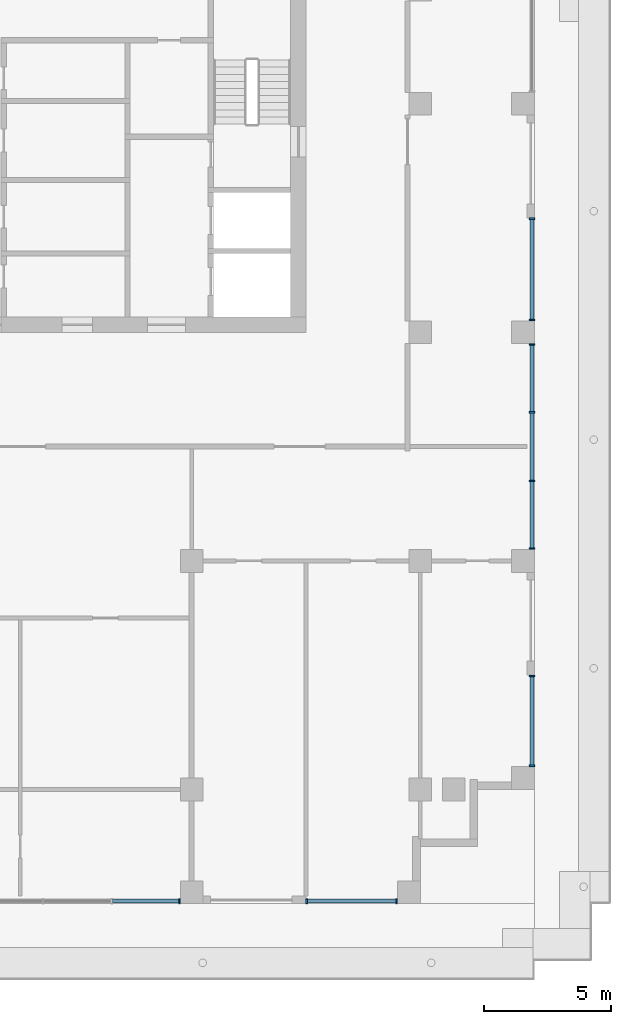
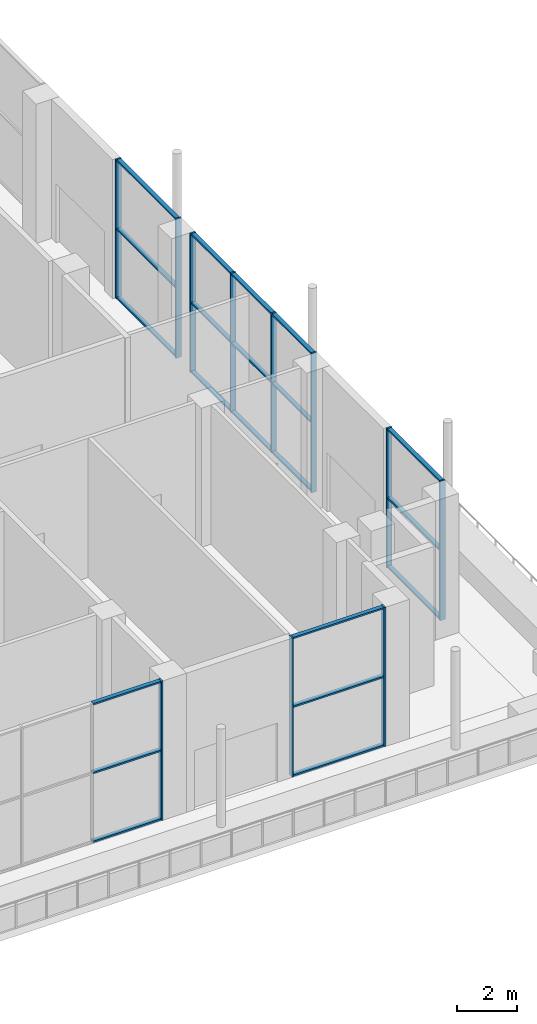
# One storey, part 3 of 13: 32 members, 5 elements without a shape of their own.
"""IFC4 building model written with IfcOpenShell, lengths in metres."""

from ifc_helpers import new_model, si_unit, direction, frame, origin, origin_2d, place, context, subcontext, project, spatial, rectangle, extrude, material, material_profile, profile_set, type_object, element, aggregate, save


model = new_model("IFC4")

# Units and contexts
model_context = context("Model", 3, precision=1e-05, world=origin(), true_north=direction((0.0, 1.0)))
body_context = subcontext(model_context, "Body", "Model", "MODEL_VIEW")
ifc_project = project(units=[si_unit("LENGTHUNIT", "METRE"), si_unit("AREAUNIT", "SQUARE_METRE"), si_unit("VOLUMEUNIT", "CUBIC_METRE"), si_unit("PLANEANGLEUNIT", "RADIAN"), si_unit("MASSUNIT", "GRAM", prefix="KILO")], contexts=[model_context])

# Site, building, storey
site_placement = place(None, origin())
site = spatial("IfcSite", under=ifc_project, at=site_placement, CompositionType="ELEMENT")
building_placement = place(site_placement, origin())
building = spatial("IfcBuilding", under=site, at=building_placement, Name="Orbiselva Terraces", CompositionType="ELEMENT")
storey_placement = place(building_placement, frame((0.0, 0.0, 297.4)))
storey = spatial("IfcBuildingStorey", under=building, at=storey_placement, Name="L74", CompositionType="ELEMENT", Elevation=297.4)

# Curtain wall, member
ifc_material_1 = material(Name="Clear low-e glazing in aluminium frame", Category="aluminium")
curtain_wall_type = type_object("IfcCurtainWallType", Name="ENV-CW-OBS", PredefinedType="NOTDEFINED", material=ifc_material_1)
curtain_wall_1_placement = place(storey_placement, origin())
curtain_wall_1 = element("IfcCurtainWall", 1, at=curtain_wall_1_placement, inside=storey, type_object=curtain_wall_type, Name="Curtain wall L74 S", PredefinedType="NOTDEFINED")
ifc_material_2 = material(Name="Anodised aluminium", Category="aluminium")
ifc_material_profile_1 = material_profile(ifc_material_2, rectangle(XDim=0.2, YDim=0.065, at=origin_2d()), Name="AL 65x200")
ifc_profile_set_1 = profile_set([ifc_material_profile_1], Name="Anodised aluminium")
member_type_1 = type_object("IfcMemberType", Name="ENV-CW-OBS-MULLION-65x200", PredefinedType="MULLION", material=ifc_profile_set_1)
member_1_placement = place(storey_placement, frame((8.5175, -17.9, 0.0), z_axis=(0.0, 0.0, 1.0), x_axis=(0.0, 1.0, 0.0)))
member_1 = element("IfcMember", 2, at=member_1_placement, type_object=member_type_1, Name="CW5 mullion 4", PredefinedType="MULLION", context=body_context, shape_type="SweptSolid", body=[
    extrude(rectangle(XDim=0.2, YDim=0.065, at=origin_2d()), origin(), (0.0, 0.0, 1.0), 5.65),
])

# Curtain wall, members
curtain_wall_2_placement = place(storey_placement, origin())
curtain_wall_2 = element("IfcCurtainWall", 3, at=curtain_wall_2_placement, inside=storey, type_object=curtain_wall_type, Name="Curtain wall L74 S", PredefinedType="NOTDEFINED")
member_2_placement = place(storey_placement, frame((13.5325, -17.9, 0.0), z_axis=(0.0, 0.0, 1.0), x_axis=(0.0, 1.0, 0.0)))
member_2 = element("IfcMember", 4, at=member_2_placement, type_object=member_type_1, Name="CW5 mullion 1", PredefinedType="MULLION", context=body_context, shape_type="SweptSolid", body=[
    extrude(rectangle(XDim=0.2, YDim=0.065, at=origin_2d()), origin(), (0.0, 0.0, 1.0), 5.65),
])
member_3_placement = place(storey_placement, frame((17.0675, -17.9, 0.0), z_axis=(0.0, 0.0, 1.0), x_axis=(0.0, 1.0, 0.0)))
member_3 = element("IfcMember", 5, at=member_3_placement, type_object=member_type_1, Name="CW5 mullion 2", PredefinedType="MULLION", context=body_context, shape_type="SweptSolid", body=[
    extrude(rectangle(XDim=0.2, YDim=0.065, at=origin_2d()), origin(), (0.0, 0.0, 1.0), 5.65),
])

curtain_wall_3_placement = place(storey_placement, origin())
curtain_wall_3 = element("IfcCurtainWall", 6, at=curtain_wall_3_placement, inside=storey, type_object=curtain_wall_type, Name="Curtain wall L74 E", PredefinedType="NOTDEFINED")
member_4_placement = place(storey_placement, frame((22.4, -12.5675, 0.0), z_axis=(0.0, 0.0, 1.0), x_axis=(-1.0, 0.0, 0.0)))
member_4 = element("IfcMember", 7, at=member_4_placement, type_object=member_type_1, Name="CW5 mullion 1", PredefinedType="MULLION", context=body_context, shape_type="SweptSolid", body=[
    extrude(rectangle(XDim=0.2, YDim=0.065, at=origin_2d()), origin(), (0.0, 0.0, 1.0), 5.65),
])
member_5_placement = place(storey_placement, frame((22.4, -9.0325, 0.0), z_axis=(0.0, 0.0, 1.0), x_axis=(-1.0, 0.0, 0.0)))
member_5 = element("IfcMember", 8, at=member_5_placement, type_object=member_type_1, Name="CW5 mullion 2", PredefinedType="MULLION", context=body_context, shape_type="SweptSolid", body=[
    extrude(rectangle(XDim=0.2, YDim=0.065, at=origin_2d()), origin(), (0.0, 0.0, 1.0), 5.65),
])

curtain_wall_4_placement = place(storey_placement, origin())
curtain_wall_4 = element("IfcCurtainWall", 9, at=curtain_wall_4_placement, inside=storey, type_object=curtain_wall_type, Name="Curtain wall L74 E", PredefinedType="NOTDEFINED")
member_6_placement = place(storey_placement, frame((22.4, -4.0175, 0.0), z_axis=(0.0, 0.0, 1.0), x_axis=(-1.0, 0.0, 0.0)))
member_6 = element("IfcMember", 10, at=member_6_placement, type_object=member_type_1, Name="CW5 mullion 1", PredefinedType="MULLION", context=body_context, shape_type="SweptSolid", body=[
    extrude(rectangle(XDim=0.2, YDim=0.065, at=origin_2d()), origin(), (0.0, 0.0, 1.0), 5.65),
])
member_7_placement = place(storey_placement, frame((22.4, -1.35, 0.0), z_axis=(0.0, 0.0, 1.0), x_axis=(-1.0, 0.0, 0.0)))
member_7 = element("IfcMember", 11, at=member_7_placement, type_object=member_type_1, Name="CW5 mullion 2", PredefinedType="MULLION", context=body_context, shape_type="SweptSolid", body=[
    extrude(rectangle(XDim=0.2, YDim=0.065, at=origin_2d()), origin(), (0.0, 0.0, 1.0), 5.65),
])
member_8_placement = place(storey_placement, frame((22.4, 1.35, 0.0), z_axis=(0.0, 0.0, 1.0), x_axis=(-1.0, 0.0, 0.0)))
member_8 = element("IfcMember", 12, at=member_8_placement, type_object=member_type_1, Name="CW5 mullion 3", PredefinedType="MULLION", context=body_context, shape_type="SweptSolid", body=[
    extrude(rectangle(XDim=0.2, YDim=0.065, at=origin_2d()), origin(), (0.0, 0.0, 1.0), 5.65),
])
member_9_placement = place(storey_placement, frame((22.4, 4.0175, 0.0), z_axis=(0.0, 0.0, 1.0), x_axis=(-1.0, 0.0, 0.0)))
member_9 = element("IfcMember", 13, at=member_9_placement, type_object=member_type_1, Name="CW5 mullion 4", PredefinedType="MULLION", context=body_context, shape_type="SweptSolid", body=[
    extrude(rectangle(XDim=0.2, YDim=0.065, at=origin_2d()), origin(), (0.0, 0.0, 1.0), 5.65),
])

curtain_wall_5_placement = place(storey_placement, origin())
curtain_wall_5 = element("IfcCurtainWall", 14, at=curtain_wall_5_placement, inside=storey, type_object=curtain_wall_type, Name="Curtain wall L74 E", PredefinedType="NOTDEFINED")
member_10_placement = place(storey_placement, frame((22.4, 4.9825, 0.0), z_axis=(0.0, 0.0, 1.0), x_axis=(-1.0, 0.0, 0.0)))
member_10 = element("IfcMember", 15, at=member_10_placement, type_object=member_type_1, Name="CW5 mullion 1", PredefinedType="MULLION", context=body_context, shape_type="SweptSolid", body=[
    extrude(rectangle(XDim=0.2, YDim=0.065, at=origin_2d()), origin(), (0.0, 0.0, 1.0), 5.65),
])
member_11_placement = place(storey_placement, frame((22.4, 8.9675, 0.0), z_axis=(0.0, 0.0, 1.0), x_axis=(-1.0, 0.0, 0.0)))
member_11 = element("IfcMember", 16, at=member_11_placement, type_object=member_type_1, Name="CW5 mullion 2", PredefinedType="MULLION", context=body_context, shape_type="SweptSolid", body=[
    extrude(rectangle(XDim=0.2, YDim=0.065, at=origin_2d()), origin(), (0.0, 0.0, 1.0), 5.65),
])

# Member
ifc_material_profile_2 = material_profile(ifc_material_2, rectangle(XDim=0.16, YDim=0.065, at=origin_2d()), Name="AL 65x160")
ifc_profile_set_2 = profile_set([ifc_material_profile_2], Name="Anodised aluminium")
member_type_2 = type_object("IfcMemberType", Name="ENV-CW-OBS-TRANSOM-65x160", PredefinedType="USERDEFINED", material=ifc_profile_set_2)
member_12_placement = place(storey_placement, frame((5.8825, -17.9, 0.0325), z_axis=(1.0, 0.0, 0.0), x_axis=(0.0, 1.0, 0.0)))
member_12 = element("IfcMember", 17, at=member_12_placement, type_object=member_type_2, Name="CW5 transom 3.1", ObjectType="TRANSOM", PredefinedType="USERDEFINED", context=body_context, shape_type="SweptSolid", body=[
    extrude(rectangle(XDim=0.16, YDim=0.065, at=origin_2d()), origin(), (0.0, 0.0, 1.0), 2.6025),
])

member_13_placement = place(storey_placement, frame((5.8825, -17.9, 2.825), z_axis=(1.0, 0.0, 0.0), x_axis=(0.0, 1.0, 0.0)))
member_13 = element("IfcMember", 18, at=member_13_placement, type_object=member_type_2, Name="CW5 transom 3.2", ObjectType="TRANSOM", PredefinedType="USERDEFINED", context=body_context, shape_type="SweptSolid", body=[
    extrude(rectangle(XDim=0.16, YDim=0.065, at=origin_2d()), origin(), (0.0, 0.0, 1.0), 2.6025),
])

member_14_placement = place(storey_placement, frame((5.8825, -17.9, 5.6175), z_axis=(1.0, 0.0, 0.0), x_axis=(0.0, 1.0, 0.0)))
member_14 = element("IfcMember", 19, at=member_14_placement, type_object=member_type_2, Name="CW5 transom 3.3", ObjectType="TRANSOM", PredefinedType="USERDEFINED", context=body_context, shape_type="SweptSolid", body=[
    extrude(rectangle(XDim=0.16, YDim=0.065, at=origin_2d()), origin(), (0.0, 0.0, 1.0), 2.6025),
])

aggregate(curtain_wall_1, [member_1, member_12, member_13, member_14])

member_15_placement = place(storey_placement, frame((13.565, -17.9, 0.0325), z_axis=(1.0, 0.0, 0.0), x_axis=(0.0, 1.0, 0.0)))
member_15 = element("IfcMember", 20, at=member_15_placement, type_object=member_type_2, Name="CW5 transom 1.1", ObjectType="TRANSOM", PredefinedType="USERDEFINED", context=body_context, shape_type="SweptSolid", body=[
    extrude(rectangle(XDim=0.16, YDim=0.065, at=origin_2d()), origin(), (0.0, 0.0, 1.0), 3.47),
])

member_16_placement = place(storey_placement, frame((13.565, -17.9, 2.825), z_axis=(1.0, 0.0, 0.0), x_axis=(0.0, 1.0, 0.0)))
member_16 = element("IfcMember", 21, at=member_16_placement, type_object=member_type_2, Name="CW5 transom 1.2", ObjectType="TRANSOM", PredefinedType="USERDEFINED", context=body_context, shape_type="SweptSolid", body=[
    extrude(rectangle(XDim=0.16, YDim=0.065, at=origin_2d()), origin(), (0.0, 0.0, 1.0), 3.47),
])

member_17_placement = place(storey_placement, frame((13.565, -17.9, 5.6175), z_axis=(1.0, 0.0, 0.0), x_axis=(0.0, 1.0, 0.0)))
member_17 = element("IfcMember", 22, at=member_17_placement, type_object=member_type_2, Name="CW5 transom 1.3", ObjectType="TRANSOM", PredefinedType="USERDEFINED", context=body_context, shape_type="SweptSolid", body=[
    extrude(rectangle(XDim=0.16, YDim=0.065, at=origin_2d()), origin(), (0.0, 0.0, 1.0), 3.47),
])

aggregate(curtain_wall_2, [member_2, member_3, member_15, member_16, member_17])

member_18_placement = place(storey_placement, frame((22.4, -12.535, 0.0325), z_axis=(0.0, 1.0, 0.0), x_axis=(-1.0, 0.0, 0.0)))
member_18 = element("IfcMember", 23, at=member_18_placement, type_object=member_type_2, Name="CW5 transom 1.1", ObjectType="TRANSOM", PredefinedType="USERDEFINED", context=body_context, shape_type="SweptSolid", body=[
    extrude(rectangle(XDim=0.16, YDim=0.065, at=origin_2d()), origin(), (0.0, 0.0, 1.0), 3.47),
])

member_19_placement = place(storey_placement, frame((22.4, -12.535, 2.825), z_axis=(0.0, 1.0, 0.0), x_axis=(-1.0, 0.0, 0.0)))
member_19 = element("IfcMember", 24, at=member_19_placement, type_object=member_type_2, Name="CW5 transom 1.2", ObjectType="TRANSOM", PredefinedType="USERDEFINED", context=body_context, shape_type="SweptSolid", body=[
    extrude(rectangle(XDim=0.16, YDim=0.065, at=origin_2d()), origin(), (0.0, 0.0, 1.0), 3.47),
])

member_20_placement = place(storey_placement, frame((22.4, -12.535, 5.6175), z_axis=(0.0, 1.0, 0.0), x_axis=(-1.0, 0.0, 0.0)))
member_20 = element("IfcMember", 25, at=member_20_placement, type_object=member_type_2, Name="CW5 transom 1.3", ObjectType="TRANSOM", PredefinedType="USERDEFINED", context=body_context, shape_type="SweptSolid", body=[
    extrude(rectangle(XDim=0.16, YDim=0.065, at=origin_2d()), origin(), (0.0, 0.0, 1.0), 3.47),
])

aggregate(curtain_wall_3, [member_4, member_5, member_18, member_19, member_20])

member_21_placement = place(storey_placement, frame((22.4, -3.985, 0.0325), z_axis=(0.0, 1.0, 0.0), x_axis=(-1.0, 0.0, 0.0)))
member_21 = element("IfcMember", 26, at=member_21_placement, type_object=member_type_2, Name="CW5 transom 1.1", ObjectType="TRANSOM", PredefinedType="USERDEFINED", context=body_context, shape_type="SweptSolid", body=[
    extrude(rectangle(XDim=0.16, YDim=0.065, at=origin_2d()), origin(), (0.0, 0.0, 1.0), 2.6025),
])

member_22_placement = place(storey_placement, frame((22.4, -3.985, 2.825), z_axis=(0.0, 1.0, 0.0), x_axis=(-1.0, 0.0, 0.0)))
member_22 = element("IfcMember", 27, at=member_22_placement, type_object=member_type_2, Name="CW5 transom 1.2", ObjectType="TRANSOM", PredefinedType="USERDEFINED", context=body_context, shape_type="SweptSolid", body=[
    extrude(rectangle(XDim=0.16, YDim=0.065, at=origin_2d()), origin(), (0.0, 0.0, 1.0), 2.6025),
])

member_23_placement = place(storey_placement, frame((22.4, -3.985, 5.6175), z_axis=(0.0, 1.0, 0.0), x_axis=(-1.0, 0.0, 0.0)))
member_23 = element("IfcMember", 28, at=member_23_placement, type_object=member_type_2, Name="CW5 transom 1.3", ObjectType="TRANSOM", PredefinedType="USERDEFINED", context=body_context, shape_type="SweptSolid", body=[
    extrude(rectangle(XDim=0.16, YDim=0.065, at=origin_2d()), origin(), (0.0, 0.0, 1.0), 2.6025),
])

member_24_placement = place(storey_placement, frame((22.4, -1.3175, 0.0325), z_axis=(0.0, 1.0, 0.0), x_axis=(-1.0, 0.0, 0.0)))
member_24 = element("IfcMember", 29, at=member_24_placement, type_object=member_type_2, Name="CW5 transom 2.1", ObjectType="TRANSOM", PredefinedType="USERDEFINED", context=body_context, shape_type="SweptSolid", body=[
    extrude(rectangle(XDim=0.16, YDim=0.065, at=origin_2d()), origin(), (0.0, 0.0, 1.0), 2.635),
])

member_25_placement = place(storey_placement, frame((22.4, -1.3175, 2.825), z_axis=(0.0, 1.0, 0.0), x_axis=(-1.0, 0.0, 0.0)))
member_25 = element("IfcMember", 30, at=member_25_placement, type_object=member_type_2, Name="CW5 transom 2.2", ObjectType="TRANSOM", PredefinedType="USERDEFINED", context=body_context, shape_type="SweptSolid", body=[
    extrude(rectangle(XDim=0.16, YDim=0.065, at=origin_2d()), origin(), (0.0, 0.0, 1.0), 2.635),
])

member_26_placement = place(storey_placement, frame((22.4, -1.3175, 5.6175), z_axis=(0.0, 1.0, 0.0), x_axis=(-1.0, 0.0, 0.0)))
member_26 = element("IfcMember", 31, at=member_26_placement, type_object=member_type_2, Name="CW5 transom 2.3", ObjectType="TRANSOM", PredefinedType="USERDEFINED", context=body_context, shape_type="SweptSolid", body=[
    extrude(rectangle(XDim=0.16, YDim=0.065, at=origin_2d()), origin(), (0.0, 0.0, 1.0), 2.635),
])

member_27_placement = place(storey_placement, frame((22.4, 1.3825, 0.0325), z_axis=(0.0, 1.0, 0.0), x_axis=(-1.0, 0.0, 0.0)))
member_27 = element("IfcMember", 32, at=member_27_placement, type_object=member_type_2, Name="CW5 transom 3.1", ObjectType="TRANSOM", PredefinedType="USERDEFINED", context=body_context, shape_type="SweptSolid", body=[
    extrude(rectangle(XDim=0.16, YDim=0.065, at=origin_2d()), origin(), (0.0, 0.0, 1.0), 2.6025),
])

member_28_placement = place(storey_placement, frame((22.4, 1.3825, 2.825), z_axis=(0.0, 1.0, 0.0), x_axis=(-1.0, 0.0, 0.0)))
member_28 = element("IfcMember", 33, at=member_28_placement, type_object=member_type_2, Name="CW5 transom 3.2", ObjectType="TRANSOM", PredefinedType="USERDEFINED", context=body_context, shape_type="SweptSolid", body=[
    extrude(rectangle(XDim=0.16, YDim=0.065, at=origin_2d()), origin(), (0.0, 0.0, 1.0), 2.6025),
])

member_29_placement = place(storey_placement, frame((22.4, 1.3825, 5.6175), z_axis=(0.0, 1.0, 0.0), x_axis=(-1.0, 0.0, 0.0)))
member_29 = element("IfcMember", 34, at=member_29_placement, type_object=member_type_2, Name="CW5 transom 3.3", ObjectType="TRANSOM", PredefinedType="USERDEFINED", context=body_context, shape_type="SweptSolid", body=[
    extrude(rectangle(XDim=0.16, YDim=0.065, at=origin_2d()), origin(), (0.0, 0.0, 1.0), 2.6025),
])

aggregate(curtain_wall_4, [member_6, member_7, member_8, member_9, member_21, member_22, member_23, member_24, member_25, member_26, member_27, member_28, member_29])

member_30_placement = place(storey_placement, frame((22.4, 5.015, 0.0325), z_axis=(0.0, 1.0, 0.0), x_axis=(-1.0, 0.0, 0.0)))
member_30 = element("IfcMember", 35, at=member_30_placement, type_object=member_type_2, Name="CW5 transom 1.1", ObjectType="TRANSOM", PredefinedType="USERDEFINED", context=body_context, shape_type="SweptSolid", body=[
    extrude(rectangle(XDim=0.16, YDim=0.065, at=origin_2d()), origin(), (0.0, 0.0, 1.0), 3.92),
])

member_31_placement = place(storey_placement, frame((22.4, 5.015, 2.825), z_axis=(0.0, 1.0, 0.0), x_axis=(-1.0, 0.0, 0.0)))
member_31 = element("IfcMember", 36, at=member_31_placement, type_object=member_type_2, Name="CW5 transom 1.2", ObjectType="TRANSOM", PredefinedType="USERDEFINED", context=body_context, shape_type="SweptSolid", body=[
    extrude(rectangle(XDim=0.16, YDim=0.065, at=origin_2d()), origin(), (0.0, 0.0, 1.0), 3.92),
])

member_32_placement = place(storey_placement, frame((22.4, 5.015, 5.6175), z_axis=(0.0, 1.0, 0.0), x_axis=(-1.0, 0.0, 0.0)))
member_32 = element("IfcMember", 37, at=member_32_placement, type_object=member_type_2, Name="CW5 transom 1.3", ObjectType="TRANSOM", PredefinedType="USERDEFINED", context=body_context, shape_type="SweptSolid", body=[
    extrude(rectangle(XDim=0.16, YDim=0.065, at=origin_2d()), origin(), (0.0, 0.0, 1.0), 3.92),
])

aggregate(curtain_wall_5, [member_10, member_11, member_30, member_31, member_32])

save(model, "model.ifc")
